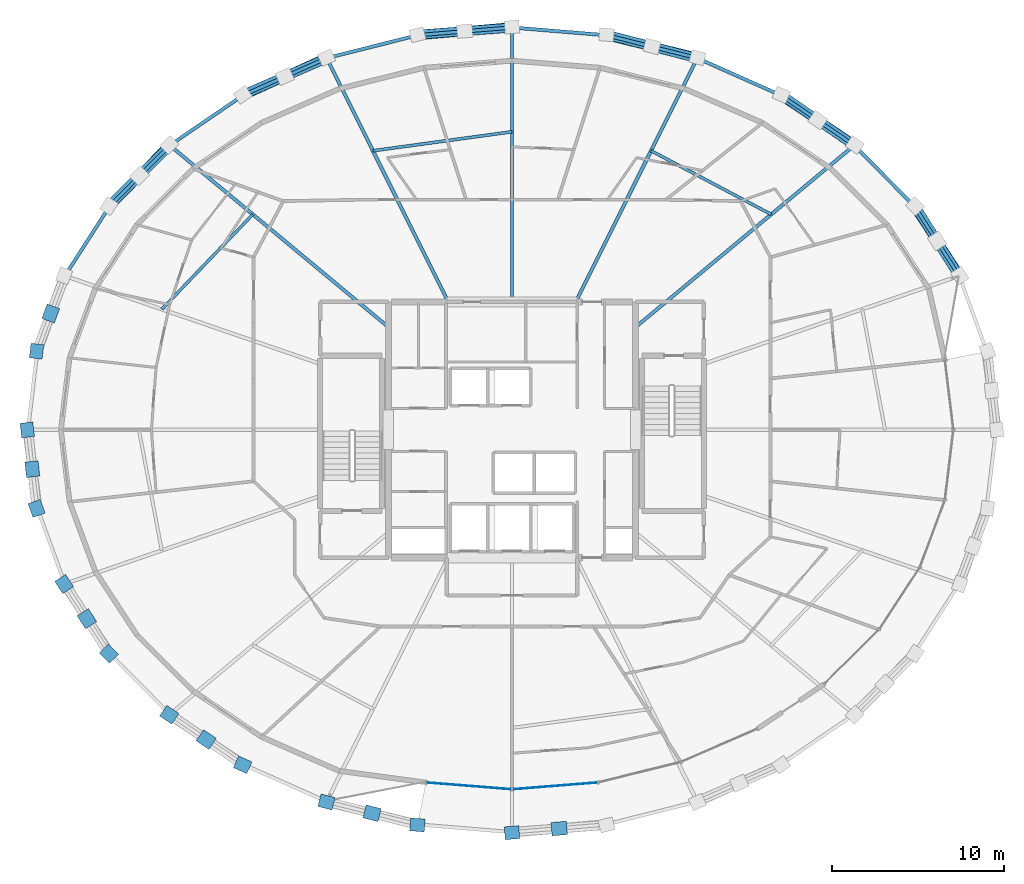
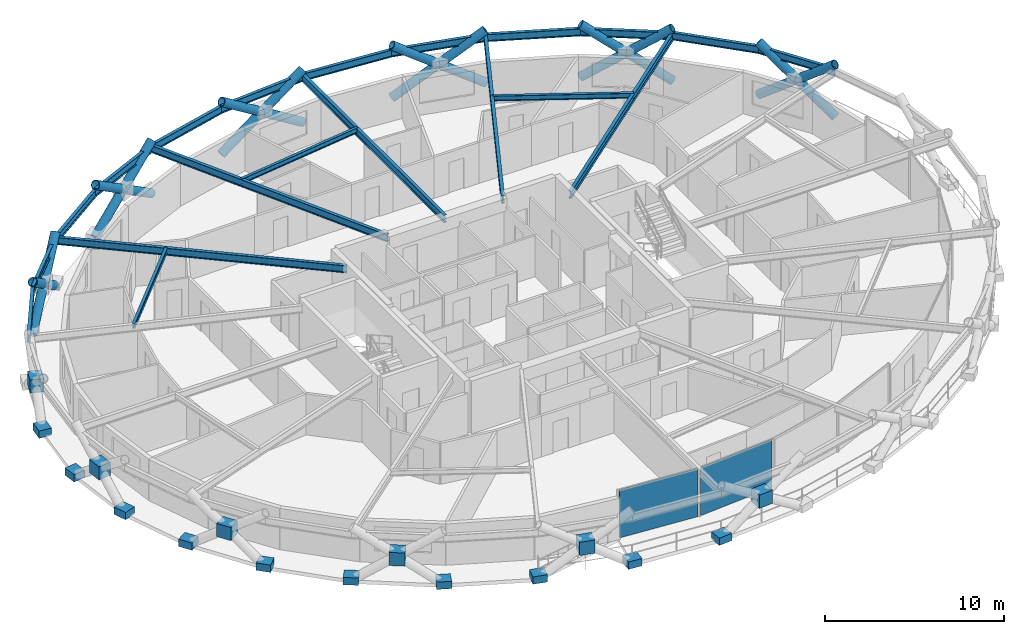
# One storey, part 12 of 19: 20 beams, 18 members, 18 plates, 1 element without a shape of its own.
"""IFC4 building model written with IfcOpenShell, lengths in metres."""

import ifcopenshell
import ifcopenshell.guid

model = None  # the IFC model being written
_history = None  # IfcOwnerHistory: only IFC2X3 demands one
_inside = {}  # id of a spatial element -> (the spatial element, [elements in it])
_under = {}  # id of a project, library or spatial element -> (it, [spatial elements below it])
_declared = {}  # id of a project -> (the project, [libraries it declares])
_typed = {}  # id of a type object -> (the type object, [elements of that type])
_made_of = {}  # id of a material, layer set ... -> (it, [elements and type objects made of it])


def new_model(schema):
    """Start an empty IFC model of exactly this schema.

    Asked for "IFC4X3", IfcOpenShell would pick the latest addendum, in which some entities
    have other attributes; the version numbers below select the first issue.
    IFC2X3 requires an IfcOwnerHistory on every rooted entity: one is made here for all.
    """
    global model, _history
    if schema == "IFC4X3":
        model = ifcopenshell.file(schema_version=(4, 3, 0, 0))
    else:
        model = ifcopenshell.file(schema=schema)
    _inside.clear()
    _under.clear()
    _declared.clear()
    _typed.clear()
    _made_of.clear()
    _history = None
    if model.schema == "IFC2X3":
        org = make("IfcOrganization", Name="unknown")
        user = make(
            "IfcPersonAndOrganization",
            ThePerson=make("IfcPerson", FamilyName="unknown"),
            TheOrganization=org,
        )
        app = make(
            "IfcApplication",
            ApplicationDeveloper=org,
            Version="unknown",
            ApplicationFullName="unknown",
            ApplicationIdentifier="unknown",
        )
        _history = make(
            "IfcOwnerHistory",
            OwningUser=user,
            OwningApplication=app,
            ChangeAction="ADDED",
            CreationDate=0,
        )
    return model


def make(cls, **values):
    """One entity of the class cls with the attributes given. An attribute that is None is left unset."""
    return model.create_entity(
        cls, **{name: value for name, value in values.items() if value is not None}
    )


def rooted(cls, **values):
    """An entity with a GlobalId (a new one), such as an element, a storey or a relation."""
    return make(cls, GlobalId=ifcopenshell.guid.new(), OwnerHistory=_history, **values)


def si_unit(unit_type, name, prefix=None):
    """IfcSIUnit, for example si_unit("LENGTHUNIT", "METRE", prefix="MILLI")."""
    return make("IfcSIUnit", UnitType=unit_type, Prefix=prefix, Name=name)


def assignment(units):
    """IfcUnitAssignment: the units of a project."""
    return None if units is None else make("IfcUnitAssignment", Units=units)


def point(xyz):
    """IfcCartesianPoint."""
    return None if xyz is None else make("IfcCartesianPoint", Coordinates=xyz)


def direction(xyz):
    """IfcDirection."""
    return None if xyz is None else make("IfcDirection", DirectionRatios=xyz)


def frame(location, z_axis=None, x_axis=None):
    """IfcAxis2Placement3D, a coordinate frame: its origin and axes. An axis left out is left unset."""
    return make(
        "IfcAxis2Placement3D",
        Location=point(location),
        Axis=direction(z_axis),
        RefDirection=direction(x_axis),
    )


def frame_2d(location, x_axis=None):
    """IfcAxis2Placement2D, a coordinate frame in the plane: its origin and x axis."""
    return make(
        "IfcAxis2Placement2D", Location=point(location), RefDirection=direction(x_axis)
    )


def origin():
    """The frame at (0, 0, 0) with its axes left unset."""
    return frame((0.0, 0.0, 0.0))


def origin_2d():
    """The frame at (0, 0) in the plane with its x axis left unset."""
    return frame_2d((0.0, 0.0))


def place(relative_to, where):
    """IfcLocalPlacement: puts the frame where relative to a parent placement (None: the world)."""
    return make(
        "IfcLocalPlacement", PlacementRelTo=relative_to, RelativePlacement=where
    )


def context(
    kind, dimensions, precision=None, world=None, true_north=None, identifier=None
):
    """IfcGeometricRepresentationContext, for example the 3D "Model" context."""
    return make(
        "IfcGeometricRepresentationContext",
        ContextIdentifier=identifier,
        ContextType=kind,
        CoordinateSpaceDimension=dimensions,
        Precision=precision,
        WorldCoordinateSystem=world,
        TrueNorth=true_north,
    )


def subcontext(parent, identifier, kind, view, scale=None):
    """IfcGeometricRepresentationSubContext, for example "Body" below "Model"."""
    return make(
        "IfcGeometricRepresentationSubContext",
        ContextIdentifier=identifier,
        ContextType=kind,
        ParentContext=parent,
        TargetScale=scale,
        TargetView=view,
    )


def project(units=None, contexts=None):
    """IfcProject with its units and contexts."""
    return rooted(
        "IfcProject",
        Name="project",
        RepresentationContexts=contexts,
        UnitsInContext=assignment(units),
    )


def spatial(cls, under=None, at=None, **own):
    """A site, building, storey or space (cls), placed at a placement, below another one or the project."""
    s = rooted(cls, ObjectPlacement=at, **own)
    if under is not None:
        _under.setdefault(under.id(), (under, []))[1].append(s)
    return s


def profile(cls, at=None, kind="AREA", **sizes):
    """A parametric profile (cls). Its sizes go by their IFC names, for example OverallWidth=200.0."""
    return make(cls, ProfileType=kind, Position=at, **sizes)


def rectangle(**sizes):
    """IfcRectangleProfileDef."""
    return profile("IfcRectangleProfileDef", **sizes)


def hollow_circle(**sizes):
    """IfcCircleHollowProfileDef."""
    return profile("IfcCircleHollowProfileDef", **sizes)


def i_section(**sizes):
    """IfcIShapeProfileDef."""
    return profile("IfcIShapeProfileDef", **sizes)


def extrude(swept, where, along, depth):
    """IfcExtrudedAreaSolid: the profile swept, set in the frame where, extruded along a direction by depth."""
    return make(
        "IfcExtrudedAreaSolid",
        SweptArea=swept,
        Position=where,
        ExtrudedDirection=direction(along),
        Depth=depth,
    )


def shape(context_of_items, identifier, shape_type, items):
    """IfcShapeRepresentation: the items that make up one representation, for example the "Body"."""
    return make(
        "IfcShapeRepresentation",
        ContextOfItems=context_of_items,
        RepresentationIdentifier=identifier,
        RepresentationType=shape_type,
        Items=items,
    )


def material(Name=None, Category=None):
    """IfcMaterial."""
    return make("IfcMaterial", Name=Name, Category=Category)


def layer(
    of_material, thickness, ventilated=None, Name=None, Category=None, Priority=None
):
    """IfcMaterialLayer: one layer of a wall or slab, of a material (None: an air gap)."""
    return make(
        "IfcMaterialLayer",
        Material=of_material,
        LayerThickness=thickness,
        IsVentilated=ventilated,
        Name=Name,
        Category=Category,
        Priority=Priority,
    )


def layer_set(layers, Name=None):
    """IfcMaterialLayerSet."""
    return make("IfcMaterialLayerSet", MaterialLayers=layers, LayerSetName=Name)


def material_profile(
    of_material, cross_section, Name=None, Category=None, Priority=None
):
    """IfcMaterialProfile: a cross section and its material."""
    return make(
        "IfcMaterialProfile",
        Name=Name,
        Material=of_material,
        Profile=cross_section,
        Priority=Priority,
        Category=Category,
    )


def profile_set(profiles, Name=None, composite=None):
    """IfcMaterialProfileSet."""
    return make(
        "IfcMaterialProfileSet",
        Name=Name,
        MaterialProfiles=profiles,
        CompositeProfile=composite,
    )


def made_of(thing, what):
    """Note that an element or type object is made of a material, layer set ...; save() writes the relation."""
    if what is not None:
        _made_of.setdefault(what.id(), (what, []))[1].append(thing)
    return thing


def type_object(cls, material=None, **own):
    """A type object (cls), such as IfcWallType, which elements share."""
    return made_of(rooted(cls, **own), material)


def element(
    cls,
    number,
    at=None,
    inside=None,
    cuts=None,
    type_object=None,
    material=None,
    context=None,
    identifier="Body",
    shape_type=None,
    held_by="IfcProductDefinitionShape",
    body=None,
    shapes=None,
    **own,
):
    """One element of the class cls, such as IfcWall. Its Tag is "e" and its number.

    at: its placement. inside: the storey or other place that contains it. cuts: it is an
    opening in that element (IfcRelVoidsElement). A single representation is given by context,
    identifier, shape_type and body (its items); several are given by shapes. held_by: the class
    of the entity that holds the representations. save() writes the other relations.
    """
    e = rooted(cls, Tag="e%d" % number, ObjectPlacement=at, **own)
    if body is not None:
        shapes = [shape(context, identifier, shape_type, body)]
    if shapes is not None:
        e.Representation = make(held_by, Representations=shapes)
    if inside is not None:
        _inside.setdefault(inside.id(), (inside, []))[1].append(e)
    if cuts is not None:
        rooted(
            "IfcRelVoidsElement", RelatingBuildingElement=cuts, RelatedOpeningElement=e
        )
    if type_object is not None:
        _typed.setdefault(type_object.id(), (type_object, []))[1].append(e)
    return made_of(e, material)


def aggregate(whole, parts):
    """IfcRelAggregates: a whole, such as a stair, and the parts it consists of."""
    return rooted("IfcRelAggregates", RelatingObject=whole, RelatedObjects=parts)


def save(model, path):
    """Write the relations noted so far, then the file.

    IfcRelAggregates (storeys below a building ...), IfcRelContainedInSpatialStructure (elements
    in a storey), IfcRelDefinesByType, IfcRelAssociatesMaterial and IfcRelDeclares: one each for
    every whole, place, type object, material and project.
    """
    for whole, parts in _under.values():
        aggregate(whole, parts)
    for where, things in _inside.values():
        rooted(
            "IfcRelContainedInSpatialStructure",
            RelatedElements=things,
            RelatingStructure=where,
        )
    for kind, things in _typed.values():
        rooted("IfcRelDefinesByType", RelatedObjects=things, RelatingType=kind)
    for what, things in _made_of.values():
        rooted("IfcRelAssociatesMaterial", RelatedObjects=things, RelatingMaterial=what)
    for by, libraries in _declared.values():
        rooted("IfcRelDeclares", RelatingContext=by, RelatedDefinitions=libraries)
    model.write(path)


model = new_model("IFC4")

# Units and contexts
model_context = context("Model", 3, precision=1e-05, world=origin(), true_north=direction((0.0, 1.0)))
body_context = subcontext(model_context, "Body", "Model", "MODEL_VIEW")
ifc_project = project(units=[si_unit("LENGTHUNIT", "METRE"), si_unit("AREAUNIT", "SQUARE_METRE"), si_unit("VOLUMEUNIT", "CUBIC_METRE"), si_unit("PLANEANGLEUNIT", "RADIAN"), si_unit("MASSUNIT", "GRAM", prefix="KILO")], contexts=[model_context])

# Site, building, storey
site_placement = place(None, origin())
site = spatial("IfcSite", under=ifc_project, at=site_placement, CompositionType="ELEMENT")
building_placement = place(site_placement, origin())
building = spatial("IfcBuilding", under=site, at=building_placement, Name="Veldorina Hangang Commons", CompositionType="ELEMENT")
storey_placement = place(building_placement, frame((0.0, 0.0, 156.800048828125)))
storey = spatial("IfcBuildingStorey", under=building, at=storey_placement, Name="L40", CompositionType="ELEMENT", Elevation=156.800048828125)

# Beams
ifc_material_1 = material(Name="Steel SM420-TMC", Category="steel")
ifc_material_profile_1 = material_profile(ifc_material_1, i_section(OverallWidth=0.199951171875, OverallDepth=0.5, WebThickness=0.010009765625, FlangeThickness=0.01611328125, FilletRadius=0.01611328125, at=origin_2d()), Name="H-500x200x10x16")
ifc_profile_set_1 = profile_set([ifc_material_profile_1], Name="Steel SM420-TMC")
beam_type_1 = type_object("IfcBeamType", Name="BM-FG500", PredefinedType="BEAM", material=ifc_profile_set_1)
beam_1_placement = place(storey_placement, frame((39.199951171875, 29.98486328125, 3.099853515625), z_axis=(0.769016904009, 0.639228442224, 0.0), x_axis=(-0.639228442224, 0.769016904009, 0.0)))
element("IfcBeam", 1, at=beam_1_placement, inside=storey, type_object=beam_type_1, Name="L40 radial floor girder 03", PredefinedType="BEAM", context=body_context, shape_type="SweptSolid", body=[
    extrude(i_section(OverallWidth=0.199951171875, OverallDepth=0.5, WebThickness=0.010009765625, FlangeThickness=0.01611328125, FilletRadius=0.01611328125, at=origin_2d()), origin(), (0.0, 0.0, 1.0), 16.562744140625),
])
beam_2_placement = place(storey_placement, frame((35.71240234375, 31.449951171875, 3.099853515625), z_axis=(0.446006974512, 0.895029484814, 0.0), x_axis=(-0.895029484814, 0.446006974512, 0.0)))
element("IfcBeam", 2, at=beam_2_placement, inside=storey, type_object=beam_type_1, Name="L40 radial floor girder 04", PredefinedType="BEAM", context=body_context, shape_type="SweptSolid", body=[
    extrude(i_section(OverallWidth=0.199951171875, OverallDepth=0.5, WebThickness=0.010009765625, FlangeThickness=0.01611328125, FilletRadius=0.01611328125, at=origin_2d()), origin(), (0.0, 0.0, 1.0), 15.868408203125),
])
beam_3_placement = place(storey_placement, frame((32.0, 31.449951171875, 3.099853515625), z_axis=(0.0, 1.0, 0.0), x_axis=(-1.0, 0.0, 0.0)))
element("IfcBeam", 3, at=beam_3_placement, inside=storey, type_object=beam_type_1, Name="L40 radial floor girder 05", PredefinedType="BEAM", context=body_context, shape_type="SweptSolid", body=[
    extrude(i_section(OverallWidth=0.199951171875, OverallDepth=0.5, WebThickness=0.010009765625, FlangeThickness=0.01611328125, FilletRadius=0.01611328125, at=origin_2d()), origin(), (0.0, 0.0, 1.0), 15.98681640625),
])
beam_4_placement = place(storey_placement, frame((28.28759765625, 31.449951171875, 3.099853515625), z_axis=(-0.446006974512, 0.895029484814, 0.0), x_axis=(-0.895029484814, -0.446006974512, 0.0)))
element("IfcBeam", 4, at=beam_4_placement, inside=storey, type_object=beam_type_1, Name="L40 radial floor girder 06", PredefinedType="BEAM", context=body_context, shape_type="SweptSolid", body=[
    extrude(i_section(OverallWidth=0.199951171875, OverallDepth=0.5, WebThickness=0.010009765625, FlangeThickness=0.01611328125, FilletRadius=0.01611328125, at=origin_2d()), origin(), (0.0, 0.0, 1.0), 15.868408203125),
])
beam_5_placement = place(storey_placement, frame((24.800048828125, 29.98486328125, 3.099853515625), z_axis=(-0.769016904009, 0.639228442224, 0.0), x_axis=(-0.639228442224, -0.769016904009, 0.0)))
element("IfcBeam", 5, at=beam_5_placement, inside=storey, type_object=beam_type_1, Name="L40 radial floor girder 07", PredefinedType="BEAM", context=body_context, shape_type="SweptSolid", body=[
    extrude(i_section(OverallWidth=0.199951171875, OverallDepth=0.5, WebThickness=0.010009765625, FlangeThickness=0.01611328125, FilletRadius=0.01611328125, at=origin_2d()), origin(), (0.0, 0.0, 1.0), 16.562744140625),
])
ifc_material_2 = material(Name="Steel SM355-TMC", Category="steel")
ifc_material_profile_2 = material_profile(ifc_material_2, i_section(OverallWidth=0.175048828125, OverallDepth=0.35009765625, WebThickness=0.007080078125, FlangeThickness=0.010986328125, FilletRadius=0.012939453125, at=origin_2d()), Name="H-350x175x7x11")
ifc_profile_set_2 = profile_set([ifc_material_profile_2], Name="Steel SM355-TMC")
beam_type_2 = type_object("IfcBeamType", Name="BM-JST350", PredefinedType="JOIST", material=ifc_profile_set_2)
beam_6_placement = place(storey_placement, frame((47.096923828125, 36.549072265625, 3.175048828125), z_axis=(-0.883658877322, 0.468131379562, 0.0), x_axis=(-0.468131379562, -0.883658877322, 0.0)))
element("IfcBeam", 6, at=beam_6_placement, inside=storey, type_object=beam_type_2, Name="L40 secondary floor joist 03", PredefinedType="JOIST", context=body_context, shape_type="SweptSolid", body=[
    extrude(i_section(OverallWidth=0.175048828125, OverallDepth=0.35009765625, WebThickness=0.007080078125, FlangeThickness=0.010986328125, FilletRadius=0.012939453125, at=origin_2d()), origin(), (0.0, 0.0, 1.0), 7.917724609375),
])
beam_7_placement = place(storey_placement, frame((32.0, 41.36181640625, 3.175048828125), z_axis=(-0.990803800047, -0.135306429308, 0.0), x_axis=(0.135306429308, -0.990803800047, 0.0)))
element("IfcBeam", 7, at=beam_7_placement, inside=storey, type_object=beam_type_2, Name="L40 secondary floor joist 05", PredefinedType="JOIST", context=body_context, shape_type="SweptSolid", body=[
    extrude(i_section(OverallWidth=0.175048828125, OverallDepth=0.35009765625, WebThickness=0.007080078125, FlangeThickness=0.010986328125, FilletRadius=0.012939453125, at=origin_2d()), origin(), (0.0, 0.0, 1.0), 8.175537109375),
])
beam_8_placement = place(storey_placement, frame((16.903076171875, 36.549072265625, 3.175048828125), z_axis=(-0.692338019076, -0.721573327765, 0.0), x_axis=(0.721573327765, -0.692338019076, 0.0)))
element("IfcBeam", 8, at=beam_8_placement, inside=storey, type_object=beam_type_2, Name="L40 secondary floor joist 07", PredefinedType="JOIST", context=body_context, shape_type="SweptSolid", body=[
    extrude(i_section(OverallWidth=0.175048828125, OverallDepth=0.35009765625, WebThickness=0.007080078125, FlangeThickness=0.010986328125, FilletRadius=0.012939453125, at=origin_2d()), origin(), (0.0, 0.0, 1.0), 7.65771484375),
])
ifc_material_profile_3 = material_profile(ifc_material_1, i_section(OverallWidth=0.199951171875, OverallDepth=0.5, WebThickness=0.010009765625, FlangeThickness=0.01611328125, FilletRadius=0.01611328125, at=origin_2d()), Name="H-500x200x10x16")
ifc_profile_set_3 = profile_set([ifc_material_profile_3], Name="Steel SM420-TMC")
beam_type_3 = type_object("IfcBeamType", Name="BM-RB500", PredefinedType="BEAM", material=ifc_profile_set_3)
beam_9_placement = place(storey_placement, frame((58.049072265625, 32.96875, 3.099853515625), z_axis=(-0.540883090356, 0.841097784188, 0.0), x_axis=(-0.841097784188, -0.540883090356, 0.0)))
element("IfcBeam", 9, at=beam_9_placement, inside=storey, type_object=beam_type_3, Name="L40 perimeter hoop ring beam 02", PredefinedType="BEAM", context=body_context, shape_type="SweptSolid", body=[
    extrude(i_section(OverallWidth=0.199951171875, OverallDepth=0.5, WebThickness=0.010009765625, FlangeThickness=0.01611328125, FilletRadius=0.01611328125, at=origin_2d()), origin(), (0.0, 0.0, 1.0), 4.817626953125),
])
beam_10_placement = place(storey_placement, frame((55.443359375, 37.020751953125, 3.099853515625), z_axis=(-0.702567342584, 0.711617263095, 0.0), x_axis=(-0.711617263095, -0.702567342584, 0.0)))
element("IfcBeam", 10, at=beam_10_placement, inside=storey, type_object=beam_type_3, Name="L40 perimeter hoop ring beam 03", PredefinedType="BEAM", context=body_context, shape_type="SweptSolid", body=[
    extrude(i_section(OverallWidth=0.199951171875, OverallDepth=0.5, WebThickness=0.010009765625, FlangeThickness=0.01611328125, FilletRadius=0.01611328125, at=origin_2d()), origin(), (0.0, 0.0, 1.0), 4.99072265625),
])
beam_11_placement = place(storey_placement, frame((51.93701171875, 40.572265625, 3.099853515625), z_axis=(-0.826091495569, 0.563536015663, 0.0), x_axis=(-0.563536015663, -0.826091495569, 0.0)))
element("IfcBeam", 11, at=beam_11_placement, inside=storey, type_object=beam_type_3, Name="L40 perimeter hoop ring beam 04", PredefinedType="BEAM", context=body_context, shape_type="SweptSolid", body=[
    extrude(i_section(OverallWidth=0.199951171875, OverallDepth=0.5, WebThickness=0.010009765625, FlangeThickness=0.01611328125, FilletRadius=0.01611328125, at=origin_2d()), origin(), (0.0, 0.0, 1.0), 5.171875),
])
beam_12_placement = place(storey_placement, frame((47.66455078125, 43.48681640625, 3.099853515625), z_axis=(-0.913866274183, 0.406015311177, 0.0), x_axis=(-0.406015311177, -0.913866274183, 0.0)))
element("IfcBeam", 12, at=beam_12_placement, inside=storey, type_object=beam_type_3, Name="L40 perimeter hoop ring beam 05", PredefinedType="BEAM", context=body_context, shape_type="SweptSolid", body=[
    extrude(i_section(OverallWidth=0.199951171875, OverallDepth=0.5, WebThickness=0.010009765625, FlangeThickness=0.01611328125, FilletRadius=0.01611328125, at=origin_2d()), origin(), (0.0, 0.0, 1.0), 5.334228515625),
])
beam_13_placement = place(storey_placement, frame((42.789794921875, 45.652587890625, 3.099853515625), z_axis=(-0.969645504814, 0.244515019978, 0.0), x_axis=(-0.244515019978, -0.969645504814, 0.0)))
element("IfcBeam", 13, at=beam_13_placement, inside=storey, type_object=beam_type_3, Name="L40 perimeter hoop ring beam 06", PredefinedType="BEAM", context=body_context, shape_type="SweptSolid", body=[
    extrude(i_section(OverallWidth=0.199951171875, OverallDepth=0.5, WebThickness=0.010009765625, FlangeThickness=0.01611328125, FilletRadius=0.01611328125, at=origin_2d()), origin(), (0.0, 0.0, 1.0), 5.45458984375),
])
for number, where, z_axis, x_axis, name in (
    (14, (37.500732421875, 46.986328125, 3.099853515625), (-0.996664012844, 0.081614003093, 0.0), (-0.081614003093, -0.996664012844, 0.0), "L40 perimeter hoop ring beam 07"),
    (15, (32.0, 47.436767578125, 3.099853515625), (-0.996664012844, -0.081614003093, 0.0), (0.081614003093, -0.996664012844, 0.0), "L40 perimeter hoop ring beam 08"),
):
    element("IfcBeam", number, at=place(storey_placement, frame(where, z_axis=z_axis, x_axis=x_axis)), inside=storey, type_object=beam_type_3, Name=name, PredefinedType="BEAM", context=body_context, shape_type="SweptSolid", body=[
        extrude(i_section(OverallWidth=0.199951171875, OverallDepth=0.5, WebThickness=0.010009765625, FlangeThickness=0.01611328125, FilletRadius=0.01611328125, at=origin_2d()), origin(), (0.0, 0.0, 1.0), 5.51904296875),
    ])
beam_14_placement = place(storey_placement, frame((26.499267578125, 46.986328125, 3.099853515625), z_axis=(-0.969645504814, -0.244515019978, 0.0), x_axis=(0.244515019978, -0.969645504814, 0.0)))
element("IfcBeam", 16, at=beam_14_placement, inside=storey, type_object=beam_type_3, Name="L40 perimeter hoop ring beam 09", PredefinedType="BEAM", context=body_context, shape_type="SweptSolid", body=[
    extrude(i_section(OverallWidth=0.199951171875, OverallDepth=0.5, WebThickness=0.010009765625, FlangeThickness=0.01611328125, FilletRadius=0.01611328125, at=origin_2d()), origin(), (0.0, 0.0, 1.0), 5.45458984375),
])
beam_15_placement = place(storey_placement, frame((21.210205078125, 45.652587890625, 3.099853515625), z_axis=(-0.913866274183, -0.406015311177, 0.0), x_axis=(0.406015311177, -0.913866274183, 0.0)))
element("IfcBeam", 17, at=beam_15_placement, inside=storey, type_object=beam_type_3, Name="L40 perimeter hoop ring beam 10", PredefinedType="BEAM", context=body_context, shape_type="SweptSolid", body=[
    extrude(i_section(OverallWidth=0.199951171875, OverallDepth=0.5, WebThickness=0.010009765625, FlangeThickness=0.01611328125, FilletRadius=0.01611328125, at=origin_2d()), origin(), (0.0, 0.0, 1.0), 5.334228515625),
])
beam_16_placement = place(storey_placement, frame((16.33544921875, 43.48681640625, 3.099853515625), z_axis=(-0.826091495569, -0.563536015663, 0.0), x_axis=(0.563536015663, -0.826091495569, 0.0)))
element("IfcBeam", 18, at=beam_16_placement, inside=storey, type_object=beam_type_3, Name="L40 perimeter hoop ring beam 11", PredefinedType="BEAM", context=body_context, shape_type="SweptSolid", body=[
    extrude(i_section(OverallWidth=0.199951171875, OverallDepth=0.5, WebThickness=0.010009765625, FlangeThickness=0.01611328125, FilletRadius=0.01611328125, at=origin_2d()), origin(), (0.0, 0.0, 1.0), 5.171875),
])
beam_17_placement = place(storey_placement, frame((12.06298828125, 40.572265625, 3.099853515625), z_axis=(-0.702567342584, -0.711617263095, 0.0), x_axis=(0.711617263095, -0.702567342584, 0.0)))
element("IfcBeam", 19, at=beam_17_placement, inside=storey, type_object=beam_type_3, Name="L40 perimeter hoop ring beam 12", PredefinedType="BEAM", context=body_context, shape_type="SweptSolid", body=[
    extrude(i_section(OverallWidth=0.199951171875, OverallDepth=0.5, WebThickness=0.010009765625, FlangeThickness=0.01611328125, FilletRadius=0.01611328125, at=origin_2d()), origin(), (0.0, 0.0, 1.0), 4.99072265625),
])
beam_18_placement = place(storey_placement, frame((8.556640625, 37.020751953125, 3.099853515625), z_axis=(-0.540883090356, -0.841097784188, 0.0), x_axis=(0.841097784188, -0.540883090356, 0.0)))
element("IfcBeam", 20, at=beam_18_placement, inside=storey, type_object=beam_type_3, Name="L40 perimeter hoop ring beam 13", PredefinedType="BEAM", context=body_context, shape_type="SweptSolid", body=[
    extrude(i_section(OverallWidth=0.199951171875, OverallDepth=0.5, WebThickness=0.010009765625, FlangeThickness=0.01611328125, FilletRadius=0.01611328125, at=origin_2d()), origin(), (0.0, 0.0, 1.0), 4.817626953125),
])

# Members
ifc_material_profile_4 = material_profile(ifc_material_1, hollow_circle(Radius=0.27490234375, WallThickness=0.028076171875, at=origin_2d()), Name="CHS-550x28")
ifc_profile_set_4 = profile_set([ifc_material_profile_4], Name="Steel SM420-TMC")
member_type = type_object("IfcMemberType", Name="DG-CHS550", PredefinedType="BRACE", material=ifc_profile_set_4)
member_1_placement = place(storey_placement, frame((58.085693359375, 32.9794921875, 0.0), z_axis=(-0.43956989544, 0.67052141819, 0.597644823261), x_axis=(-0.836310866841, -0.548255537139, 0.0)))
element("IfcMember", 21, at=member_1_placement, inside=storey, type_object=member_type, Name="L40 continuous perimeter diagrid brace 02", PredefinedType="BRACE", context=body_context, shape_type="SweptSolid", body=[
    extrude(hollow_circle(Radius=0.27490234375, WallThickness=0.028076171875, at=origin_2d()), origin(), (0.0, 0.0, 1.0), 6.0234375),
])
member_2_placement = place(storey_placement, frame((55.4765625, 37.0361328125, 0.0), z_axis=(0.427212878954, -0.67715799232, 0.599121197666), x_axis=(0.845751491708, 0.533576999386, 0.0)))
element("IfcMember", 22, at=member_2_placement, inside=storey, type_object=member_type, Name="L40 split perimeter diagrid lower brace 03", PredefinedType="BRACE", context=body_context, shape_type="SweptSolid", body=[
    extrude(hollow_circle(Radius=0.27490234375, WallThickness=0.028076171875, at=origin_2d()), origin(), (0.0, 0.0, 1.0), 3.006591796875),
])
member_3_placement = place(storey_placement, frame((56.760986328125, 35.000244140625, 1.80126953125), z_axis=(0.427102298707, -0.677248275634, 0.599097988304), x_axis=(0.845845906204, 0.533427317409, 0.0)))
element("IfcMember", 23, at=member_3_placement, inside=storey, type_object=member_type, Name="L40 split perimeter diagrid upper brace 03", PredefinedType="BRACE", context=body_context, shape_type="SweptSolid", body=[
    extrude(hollow_circle(Radius=0.27490234375, WallThickness=0.028076171875, at=origin_2d()), origin(), (0.0, 0.0, 1.0), 3.002197265625),
])
member_4_placement = place(storey_placement, frame((51.965087890625, 40.591796875, 0.0), z_axis=(-0.681875863667, 0.458051948577, 0.570292660792), x_axis=(-0.55761962355, -0.830096594037, 0.0)))
element("IfcMember", 24, at=member_4_placement, inside=storey, type_object=member_type, Name="L40 continuous perimeter diagrid brace 04", PredefinedType="BRACE", context=body_context, shape_type="SweptSolid", body=[
    extrude(hollow_circle(Radius=0.27490234375, WallThickness=0.028076171875, at=origin_2d()), origin(), (0.0, 0.0, 1.0), 6.312255859375),
])
member_5_placement = place(storey_placement, frame((47.6865234375, 43.510009765625, 0.0), z_axis=(0.674465109685, -0.467080456862, 0.571780257297), x_axis=(0.569327862671, 0.822110567252, 0.0)))
element("IfcMember", 25, at=member_5_placement, inside=storey, type_object=member_type, Name="L40 split perimeter diagrid lower brace 05", PredefinedType="BRACE", context=body_context, shape_type="SweptSolid", body=[
    extrude(hollow_circle(Radius=0.27490234375, WallThickness=0.028076171875, at=origin_2d()), origin(), (0.0, 0.0, 1.0), 3.150390625),
])
member_6_placement = place(storey_placement, frame((49.811279296875, 42.03857421875, 1.80126953125), z_axis=(0.674397656958, -0.467165323654, 0.571790486686), x_axis=(0.569436255911, 0.82203549221, 0.0)))
element("IfcMember", 26, at=member_6_placement, inside=storey, type_object=member_type, Name="L40 split perimeter diagrid upper brace 05", PredefinedType="BRACE", context=body_context, shape_type="SweptSolid", body=[
    extrude(hollow_circle(Radius=0.27490234375, WallThickness=0.028076171875, at=origin_2d()), origin(), (0.0, 0.0, 1.0), 3.1455078125),
])
member_7_placement = place(storey_placement, frame((42.804931640625, 45.67822265625, 0.0), z_axis=(-0.810899426734, 0.199263859867, 0.550214534407), x_axis=(-0.238632684941, -0.971109901956, 0.0)))
element("IfcMember", 27, at=member_7_placement, inside=storey, type_object=member_type, Name="L40 continuous perimeter diagrid brace 06", PredefinedType="BRACE", context=body_context, shape_type="SweptSolid", body=[
    extrude(hollow_circle(Radius=0.27490234375, WallThickness=0.028076171875, at=origin_2d()), origin(), (0.0, 0.0, 1.0), 6.542724609375),
])
member_8_placement = place(storey_placement, frame((37.50830078125, 47.013427734375, 0.0), z_axis=(0.808017737661, -0.208780851539, 0.550924578917), x_axis=(0.250170261394, 0.96820185928, 0.0)))
element("IfcMember", 28, at=member_8_placement, inside=storey, type_object=member_type, Name="L40 split perimeter diagrid lower brace 07", PredefinedType="BRACE", context=body_context, shape_type="SweptSolid", body=[
    extrude(hollow_circle(Radius=0.27490234375, WallThickness=0.028076171875, at=origin_2d()), origin(), (0.0, 0.0, 1.0), 3.26953125),
])
member_9_placement = place(storey_placement, frame((40.150146484375, 46.330810546875, 1.80126953125), z_axis=(0.807903299561, -0.209043669901, 0.550992742813), x_axis=(0.250498689418, 0.968116938494, 0.0)))
element("IfcMember", 29, at=member_9_placement, inside=storey, type_object=member_type, Name="L40 split perimeter diagrid upper brace 07", PredefinedType="BRACE", context=body_context, shape_type="SweptSolid", body=[
    extrude(hollow_circle(Radius=0.27490234375, WallThickness=0.028076171875, at=origin_2d()), origin(), (0.0, 0.0, 1.0), 3.26416015625),
])
member_10_placement = place(storey_placement, frame((32.0, 47.46435546875, 0.0), z_axis=(-0.834444954632, -0.073198225622, 0.546208419429), x_axis=(0.087385287562, -0.996174588874, 0.0)))
element("IfcMember", 30, at=member_10_placement, inside=storey, type_object=member_type, Name="L40 continuous perimeter diagrid brace 08", PredefinedType="BRACE", context=body_context, shape_type="SweptSolid", body=[
    extrude(hollow_circle(Radius=0.27490234375, WallThickness=0.028076171875, at=origin_2d()), origin(), (0.0, 0.0, 1.0), 6.590576171875),
])
member_11_placement = place(storey_placement, frame((26.49169921875, 47.013427734375, 0.0), z_axis=(0.835380275203, 0.063485941198, 0.545993892889), x_axis=(-0.075777945785, 0.997124717843, 0.0)))
element("IfcMember", 31, at=member_11_placement, inside=storey, type_object=member_type, Name="L40 split perimeter diagrid lower brace 09", PredefinedType="BRACE", context=body_context, shape_type="SweptSolid", body=[
    extrude(hollow_circle(Radius=0.27490234375, WallThickness=0.028076171875, at=origin_2d()), origin(), (0.0, 0.0, 1.0), 3.299560546875),
])
member_12_placement = place(storey_placement, frame((29.248046875, 47.222900390625, 1.801513671875), z_axis=(0.83542058937, 0.063516274405, 0.545928678256), x_axis=(-0.075810306522, 0.997122258013, 0.0)))
element("IfcMember", 32, at=member_12_placement, inside=storey, type_object=member_type, Name="L40 split perimeter diagrid upper brace 09", PredefinedType="BRACE", context=body_context, shape_type="SweptSolid", body=[
    extrude(hollow_circle(Radius=0.27490234375, WallThickness=0.028076171875, at=origin_2d()), origin(), (0.0, 0.0, 1.0), 3.294189453125),
])
member_13_placement = place(storey_placement, frame((21.195068359375, 45.67822265625, 0.0), z_axis=(-0.755087408095, -0.34132684194, 0.559766909621), x_axis=(0.411907073084, -0.911225857372, 0.0)))
element("IfcMember", 33, at=member_13_placement, inside=storey, type_object=member_type, Name="L40 continuous perimeter diagrid brace 10", PredefinedType="BRACE", context=body_context, shape_type="SweptSolid", body=[
    extrude(hollow_circle(Radius=0.27490234375, WallThickness=0.028076171875, at=origin_2d()), origin(), (0.0, 0.0, 1.0), 6.430908203125),
])
member_14_placement = place(storey_placement, frame((16.3134765625, 43.510009765625, 0.0), z_axis=(0.760237289689, 0.331742661165, 0.558557132377), x_axis=(-0.39994724406, 0.916538161764, 0.0)))
element("IfcMember", 34, at=member_14_placement, inside=storey, type_object=member_type, Name="L40 split perimeter diagrid lower brace 11", PredefinedType="BRACE", context=body_context, shape_type="SweptSolid", body=[
    extrude(hollow_circle(Radius=0.27490234375, WallThickness=0.028076171875, at=origin_2d()), origin(), (0.0, 0.0, 1.0), 3.224853515625),
])
member_15_placement = place(storey_placement, frame((18.76513671875, 44.579833984375, 1.80126953125), z_axis=(0.760143053807, 0.331884902395, 0.558600885526), x_axis=(-0.400132943106, 0.916457106384, 0.0)))
element("IfcMember", 35, at=member_15_placement, inside=storey, type_object=member_type, Name="L40 split perimeter diagrid upper brace 11", PredefinedType="BRACE", context=body_context, shape_type="SweptSolid", body=[
    extrude(hollow_circle(Radius=0.27490234375, WallThickness=0.028076171875, at=origin_2d()), origin(), (0.0, 0.0, 1.0), 3.2197265625),
])
member_16_placement = place(storey_placement, frame((12.034912109375, 40.591796875, 0.0), z_axis=(-0.564943615654, -0.581306130216, 0.585595333063), x_axis=(0.717127545721, -0.696941951075, 0.0)))
element("IfcMember", 36, at=member_16_placement, inside=storey, type_object=member_type, Name="L40 continuous perimeter diagrid brace 12", PredefinedType="BRACE", context=body_context, shape_type="SweptSolid", body=[
    extrude(hollow_circle(Radius=0.27490234375, WallThickness=0.028076171875, at=origin_2d()), origin(), (0.0, 0.0, 1.0), 6.1474609375),
])
member_17_placement = place(storey_placement, frame((8.5234375, 37.0361328125, 0.0), z_axis=(0.575009045623, 0.573030349664, 0.583952751356), x_axis=(-0.705887003361, 0.708324458483, 0.0)))
element("IfcMember", 37, at=member_17_placement, inside=storey, type_object=member_type, Name="L40 split perimeter diagrid lower brace 13", PredefinedType="BRACE", context=body_context, shape_type="SweptSolid", body=[
    extrude(hollow_circle(Radius=0.27490234375, WallThickness=0.028076171875, at=origin_2d()), origin(), (0.0, 0.0, 1.0), 3.084716796875),
])
member_18_placement = place(storey_placement, frame((10.297119140625, 38.8037109375, 1.80126953125), z_axis=(0.574794034587, 0.573208614549, 0.583989470804), x_axis=(-0.706129575867, 0.708082637894, 0.0)))
element("IfcMember", 38, at=member_18_placement, inside=storey, type_object=member_type, Name="L40 split perimeter diagrid upper brace 13", PredefinedType="BRACE", context=body_context, shape_type="SweptSolid", body=[
    extrude(hollow_circle(Radius=0.27490234375, WallThickness=0.028076171875, at=origin_2d()), origin(), (0.0, 0.0, 1.0), 3.079833984375),
])

# Curtain wall, plates
ifc_material_3 = material(Name="Glass Low-E Triple IGU", Category="glass")
ifc_layer_1 = layer(ifc_material_3, 0.179931640625)
ifc_layer_set_1 = layer_set([ifc_layer_1], Name="Glass Low-E Triple IGU")
curtain_wall_type = type_object("IfcCurtainWallType", Name="CW-SYS-Z2", PredefinedType="NOTDEFINED", material=ifc_layer_set_1)
curtain_wall_placement = place(storey_placement, origin())
curtain_wall = element("IfcCurtainWall", 39, at=curtain_wall_placement, inside=storey, type_object=curtain_wall_type, Name="L40 unitised curtain wall CW-L40-R1", PredefinedType="NOTDEFINED")
ifc_layer_2 = layer(ifc_material_3, 0.0400390625)
ifc_layer_set_2 = layer_set([ifc_layer_2], Name="Glass Low-E Triple IGU")
plate_type_1 = type_object("IfcPlateType", Name="CW-PNL-VIS", PredefinedType="CURTAIN_PANEL", material=ifc_layer_set_2)
plate_1_placement = place(storey_placement, frame((29.49169921875, 3.2568359375, 0.01513671875), z_axis=(0.0, 0.0, 1.0), x_axis=(0.996798444994, -0.07995536291, 0.0)))
plate_1 = element("IfcPlate", 40, at=plate_1_placement, type_object=plate_type_1, Name="CW-L40-R1 facet 1 glazed vision panel", PredefinedType="CURTAIN_PANEL", context=body_context, shape_type="SweptSolid", body=[
    extrude(rectangle(XDim=4.852783203125, YDim=0.0400390625, at=origin_2d()), origin(), (0.0, 0.0, 1.0), 3.280029296875),
])
plate_2_placement = place(storey_placement, frame((34.50830078125, 3.2568359375, 0.01513671875), z_axis=(0.0, 0.0, 1.0), x_axis=(0.996798444994, 0.07995536291, 0.0)))
plate_2 = element("IfcPlate", 41, at=plate_2_placement, type_object=plate_type_1, Name="CW-L40-R1 facet 2 glazed vision panel", PredefinedType="CURTAIN_PANEL", context=body_context, shape_type="SweptSolid", body=[
    extrude(rectangle(XDim=4.852783203125, YDim=0.0400390625, at=origin_2d()), origin(), (0.0, 0.0, 1.0), 3.280029296875),
])
aggregate(curtain_wall, [plate_1, plate_2])

# Plates
ifc_material_4 = material(Name="Steel SM460-TMC", Category="steel")
ifc_layer_3 = layer(ifc_material_4, 0.035888671875)
ifc_layer_set_3 = layer_set([ifc_layer_3], Name="Steel SM460-TMC")
plate_type_2 = type_object("IfcPlateType", Name="PL-STAR-36", PredefinedType="USERDEFINED", material=ifc_layer_set_3)
plate_3_placement = place(storey_placement, frame((5.133056640625, 30.77392578125, 1.351318359375), z_axis=(0.0, 0.0, 1.0), x_axis=(-0.342905630723, -0.939369857095, 0.0)))
element("IfcPlate", 42, at=plate_3_placement, inside=storey, type_object=plate_type_2, Name="L40 diagrid X-crossing star-node gusset plate 14", ObjectType="GUSSET PLATE", PredefinedType="USERDEFINED", context=body_context, shape_type="SweptSolid", body=[
    extrude(rectangle(XDim=0.89990234375, YDim=0.780029296875, at=origin_2d()), origin(), (0.0, 0.0, 1.0), 0.89990234375),
])
for number, where, z_axis, x_axis, name in (
    (43, (4.3076171875, 28.57763671875, -0.090087890625), (0.0, 0.0, 1.0), (-0.117693386836, -0.993049981972, 0.0), "L40 diagrid star-node gusset plate 15"),
    (44, (3.76513671875, 24.0, -0.090087890625), (0.0, 0.0, 1.0), (0.117693386836, -0.993049981972, 0.0), "L40 diagrid star-node gusset plate 16"),
):
    element("IfcPlate", number, at=place(storey_placement, frame(where, z_axis=z_axis, x_axis=x_axis)), inside=storey, type_object=plate_type_2, Name=name, ObjectType="GUSSET PLATE", PredefinedType="USERDEFINED", context=body_context, shape_type="SweptSolid", body=[
        extrude(rectangle(XDim=0.85009765625, YDim=0.75, at=origin_2d()), origin(), (0.0, 0.0, 1.0), 0.5),
    ])
plate_4_placement = place(storey_placement, frame((4.05908203125, 21.712646484375, 1.351318359375), z_axis=(0.0, 0.0, 1.0), x_axis=(0.117693386836, -0.993049981972, 0.0)))
element("IfcPlate", 45, at=plate_4_placement, inside=storey, type_object=plate_type_2, Name="L40 diagrid X-crossing star-node gusset plate 16", ObjectType="GUSSET PLATE", PredefinedType="USERDEFINED", context=body_context, shape_type="SweptSolid", body=[
    extrude(rectangle(XDim=0.89990234375, YDim=0.780029296875, at=origin_2d()), origin(), (0.0, 0.0, 1.0), 0.89990234375),
])
for number, where, z_axis, x_axis, name in (
    (46, (4.3076171875, 19.42236328125, -0.090087890625), (0.0, 0.0, 1.0), (0.342905630723, -0.939369857095, 0.0), "L40 diagrid star-node gusset plate 17"),
    (47, (5.914306640625, 15.0205078125, -0.090087890625), (0.0, 0.0, 1.0), (0.540930433927, -0.841067337169, 0.0), "L40 diagrid star-node gusset plate 18"),
):
    element("IfcPlate", number, at=place(storey_placement, frame(where, z_axis=z_axis, x_axis=x_axis)), inside=storey, type_object=plate_type_2, Name=name, ObjectType="GUSSET PLATE", PredefinedType="USERDEFINED", context=body_context, shape_type="SweptSolid", body=[
        extrude(rectangle(XDim=0.85009765625, YDim=0.75, at=origin_2d()), origin(), (0.0, 0.0, 1.0), 0.5),
    ])
plate_5_placement = place(storey_placement, frame((7.239013671875, 12.999755859375, 1.351318359375), z_axis=(0.0, 0.0, 1.0), x_axis=(0.540930433927, -0.841067337169, 0.0)))
element("IfcPlate", 48, at=plate_5_placement, inside=storey, type_object=plate_type_2, Name="L40 diagrid X-crossing star-node gusset plate 18", ObjectType="GUSSET PLATE", PredefinedType="USERDEFINED", context=body_context, shape_type="SweptSolid", body=[
    extrude(rectangle(XDim=0.89990234375, YDim=0.780029296875, at=origin_2d()), origin(), (0.0, 0.0, 1.0), 0.89990234375),
])
for number, where, z_axis, x_axis, name in (
    (49, (8.5234375, 10.9638671875, -0.090087890625), (0.0, 0.0, 1.0), (0.702662388332, -0.711523413545, 0.0), "L40 diagrid star-node gusset plate 19"),
    (50, (12.034912109375, 7.408203125, -0.090087890625), (0.0, 0.0, 1.0), (0.826147468275, -0.563453956116, 0.0), "L40 diagrid star-node gusset plate 20"),
):
    element("IfcPlate", number, at=place(storey_placement, frame(where, z_axis=z_axis, x_axis=x_axis)), inside=storey, type_object=plate_type_2, Name=name, ObjectType="GUSSET PLATE", PredefinedType="USERDEFINED", context=body_context, shape_type="SweptSolid", body=[
        extrude(rectangle(XDim=0.85009765625, YDim=0.75, at=origin_2d()), origin(), (0.0, 0.0, 1.0), 0.5),
    ])
plate_6_placement = place(storey_placement, frame((14.188720703125, 5.96142578125, 1.351318359375), z_axis=(0.0, 0.0, 1.0), x_axis=(0.826147468275, -0.563453956116, 0.0)))
element("IfcPlate", 51, at=plate_6_placement, inside=storey, type_object=plate_type_2, Name="L40 diagrid X-crossing star-node gusset plate 20", ObjectType="GUSSET PLATE", PredefinedType="USERDEFINED", context=body_context, shape_type="SweptSolid", body=[
    extrude(rectangle(XDim=0.89990234375, YDim=0.780029296875, at=origin_2d()), origin(), (0.0, 0.0, 1.0), 0.89990234375),
])
for number, where, z_axis, x_axis, name in (
    (52, (16.3134765625, 4.489990234375, -0.090087890625), (0.0, 0.0, 1.0), (0.91389296931, -0.405955220001, 0.0), "L40 diagrid star-node gusset plate 21"),
    (53, (21.195068359375, 2.32177734375, -0.090087890625), (0.0, 0.0, 1.0), (0.969663318315, -0.244444368136, 0.0), "L40 diagrid star-node gusset plate 22"),
):
    element("IfcPlate", number, at=place(storey_placement, frame(where, z_axis=z_axis, x_axis=x_axis)), inside=storey, type_object=plate_type_2, Name=name, ObjectType="GUSSET PLATE", PredefinedType="USERDEFINED", context=body_context, shape_type="SweptSolid", body=[
        extrude(rectangle(XDim=0.85009765625, YDim=0.75, at=origin_2d()), origin(), (0.0, 0.0, 1.0), 0.5),
    ])
plate_7_placement = place(storey_placement, frame((23.849853515625, 1.669189453125, 1.351318359375), z_axis=(0.0, 0.0, 1.0), x_axis=(0.969663318315, -0.244444368136, 0.0)))
element("IfcPlate", 54, at=plate_7_placement, inside=storey, type_object=plate_type_2, Name="L40 diagrid X-crossing star-node gusset plate 22", ObjectType="GUSSET PLATE", PredefinedType="USERDEFINED", context=body_context, shape_type="SweptSolid", body=[
    extrude(rectangle(XDim=0.89990234375, YDim=0.780029296875, at=origin_2d()), origin(), (0.0, 0.0, 1.0), 0.89990234375),
])
for number, where, z_axis, x_axis, name in (
    (55, (26.49169921875, 0.986572265625, -0.090087890625), (0.0, 0.0, 1.0), (0.996665928034, -0.081590611568, 0.0), "L40 diagrid star-node gusset plate 23"),
    (56, (32.0, 0.53564453125, -0.090087890625), (0.0, 0.0, 1.0), (0.996665928034, 0.081590611568, 0.0), "L40 diagrid star-node gusset plate 24"),
):
    element("IfcPlate", number, at=place(storey_placement, frame(where, z_axis=z_axis, x_axis=x_axis)), inside=storey, type_object=plate_type_2, Name=name, ObjectType="GUSSET PLATE", PredefinedType="USERDEFINED", context=body_context, shape_type="SweptSolid", body=[
        extrude(rectangle(XDim=0.85009765625, YDim=0.75, at=origin_2d()), origin(), (0.0, 0.0, 1.0), 0.5),
    ])
plate_8_placement = place(storey_placement, frame((34.751953125, 0.777099609375, 1.3515625), z_axis=(0.0, 0.0, 1.0), x_axis=(0.996665928034, 0.081590611568, 0.0)))
element("IfcPlate", 57, at=plate_8_placement, inside=storey, type_object=plate_type_2, Name="L40 diagrid X-crossing star-node gusset plate 24", ObjectType="GUSSET PLATE", PredefinedType="USERDEFINED", context=body_context, shape_type="SweptSolid", body=[
    extrude(rectangle(XDim=0.89990234375, YDim=0.780029296875, at=origin_2d()), origin(), (0.0, 0.0, 1.0), 0.89990234375),
])

save(model, "model.ifc")
